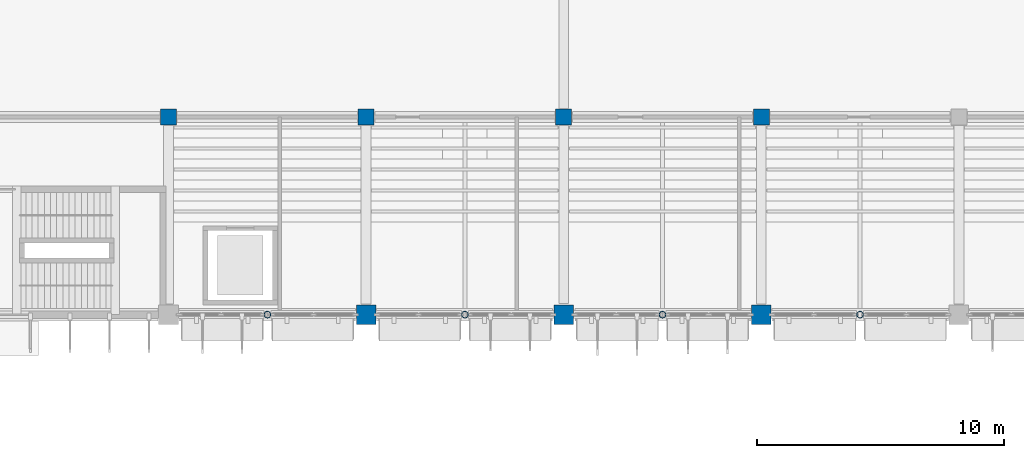
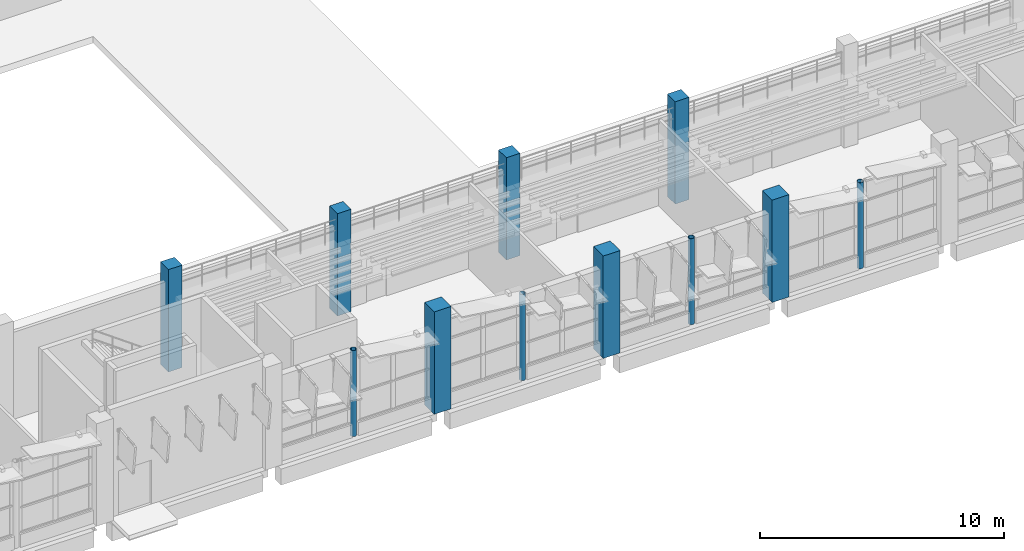
# One storey, part 2 of 103: 11 columns.
"""IFC4 building model written with IfcOpenShell, lengths in metres."""

from ifc_helpers import new_model, si_unit, direction, frame, origin, origin_2d, place, context, subcontext, project, spatial, rectangle, hollow_circle, extrude, material, material_profile, profile_set, type_object, element, save


model = new_model("IFC4")

# Units and contexts
model_context = context("Model", 3, precision=1e-05, world=origin(), true_north=direction((0.0, 1.0)))
body_context = subcontext(model_context, "Body", "Model", "MODEL_VIEW")
ifc_project = project(units=[si_unit("LENGTHUNIT", "METRE"), si_unit("AREAUNIT", "SQUARE_METRE"), si_unit("VOLUMEUNIT", "CUBIC_METRE"), si_unit("PLANEANGLEUNIT", "RADIAN"), si_unit("MASSUNIT", "GRAM", prefix="KILO")], contexts=[model_context])

# Site, building, storey
site_placement = place(None, origin())
site = spatial("IfcSite", under=ifc_project, at=site_placement, CompositionType="ELEMENT")
building_placement = place(site_placement, origin())
building = spatial("IfcBuilding", under=site, at=building_placement, Name="Drelvana Railside Aquatics Centre", CompositionType="ELEMENT")
storey_placement = place(building_placement, origin())
storey = spatial("IfcBuildingStorey", under=building, at=storey_placement, Name="L00", CompositionType="ELEMENT", Elevation=0.0)

# Columns
ifc_material_1 = material(Name="Concrete C40/50", Category="concrete")
ifc_material_profile_1 = material_profile(ifc_material_1, rectangle(XDim=0.64990234375, YDim=0.64990234375, at=origin_2d()), Name="RC 650x650")
ifc_profile_set_1 = profile_set([ifc_material_profile_1], Name="Concrete C40/50")
column_type_1 = type_object("IfcColumnType", Name="STR-COL-RC-650x650", PredefinedType="COLUMN", material=ifc_profile_set_1)
for number, where, z_axis, x_axis, name in (
    (1, (32.0, 24.0, 0.0), (0.0, 0.0, 1.0), (1.0, 0.0, 0.0), "Column C-05 (L00)"),
    (2, (40.0, 24.0, 0.0), (0.0, 0.0, 1.0), (1.0, 0.0, 0.0), "Column C-05 (L00)"),
    (3, (48.0, 24.0, 0.0), (0.0, 0.0, 1.0), (1.0, 0.0, 0.0), "Column C-05 (L00)"),
    (4, (56.0, 24.0, 0.0), (0.0, 0.0, 1.0), (1.0, 0.0, 0.0), "Column C-05 (L00)"),
):
    element("IfcColumn", number, at=place(storey_placement, frame(where, z_axis=z_axis, x_axis=x_axis)), inside=storey, type_object=column_type_1, Name=name, PredefinedType="COLUMN", context=body_context, shape_type="SweptSolid", body=[
        extrude(rectangle(XDim=0.64990234375, YDim=0.64990234375, at=origin_2d()), origin(), (0.0, 0.0, 1.0), 5.125),
    ])
ifc_material_profile_2 = material_profile(ifc_material_1, rectangle(XDim=0.800048828125, YDim=0.800048828125, at=origin_2d()), Name="RC 800x800")
ifc_profile_set_2 = profile_set([ifc_material_profile_2], Name="Concrete C40/50")
column_type_2 = type_object("IfcColumnType", Name="STR-COL-RC-800x800", PredefinedType="COLUMN", material=ifc_profile_set_2)
for number, where, z_axis, x_axis, name in (
    (5, (40.0, 16.0, 0.0), (0.0, 0.0, 1.0), (1.0, 0.0, 0.0), "Column C-08 (L00)"),
    (6, (48.0, 16.0, 0.0), (0.0, 0.0, 1.0), (1.0, 0.0, 0.0), "Column C-08 (L00)"),
    (7, (56.0, 16.0, 0.0), (0.0, 0.0, 1.0), (1.0, 0.0, 0.0), "Column C-08 (L00)"),
):
    element("IfcColumn", number, at=place(storey_placement, frame(where, z_axis=z_axis, x_axis=x_axis)), inside=storey, type_object=column_type_2, Name=name, PredefinedType="COLUMN", context=body_context, shape_type="SweptSolid", body=[
        extrude(rectangle(XDim=0.800048828125, YDim=0.800048828125, at=origin_2d()), origin(), (0.0, 0.0, 1.0), 5.125),
    ])
ifc_material_2 = material(Name="Structural steel S355", Category="steel")
ifc_material_profile_3 = material_profile(ifc_material_2, hollow_circle(Radius=0.136474609375, WallThickness=0.012451171875, at=origin_2d()), Name="CHS 273x12.5")
ifc_profile_set_3 = profile_set([ifc_material_profile_3], Name="Structural steel S355")
column_type_3 = type_object("IfcColumnType", Name="STR-SCOL-CHS-273x12.5", PredefinedType="PILASTER", material=ifc_profile_set_3)
for number, where, z_axis, x_axis, name in (
    (8, (36.0, 16.0, 0.0), (0.0, 0.0, 1.0), (1.0, 0.0, 0.0), "Sine-wave facade steel post 3"),
    (9, (44.0, 16.0, 0.0), (0.0, 0.0, 1.0), (1.0, 0.0, 0.0), "Sine-wave facade steel post 4"),
    (10, (52.0, 16.0, 0.0), (0.0, 0.0, 1.0), (1.0, 0.0, 0.0), "Sine-wave facade steel post 5"),
    (11, (60.0, 16.0, 0.0), (0.0, 0.0, 1.0), (1.0, 0.0, 0.0), "Sine-wave facade steel post 6"),
):
    element("IfcColumn", number, at=place(storey_placement, frame(where, z_axis=z_axis, x_axis=x_axis)), inside=storey, type_object=column_type_3, Name=name, PredefinedType="PILASTER", context=body_context, shape_type="SweptSolid", body=[
        extrude(hollow_circle(Radius=0.136474609375, WallThickness=0.012451171875, at=origin_2d()), origin(), (0.0, 0.0, 1.0), 4.304931640625),
    ])

save(model, "model.ifc")
